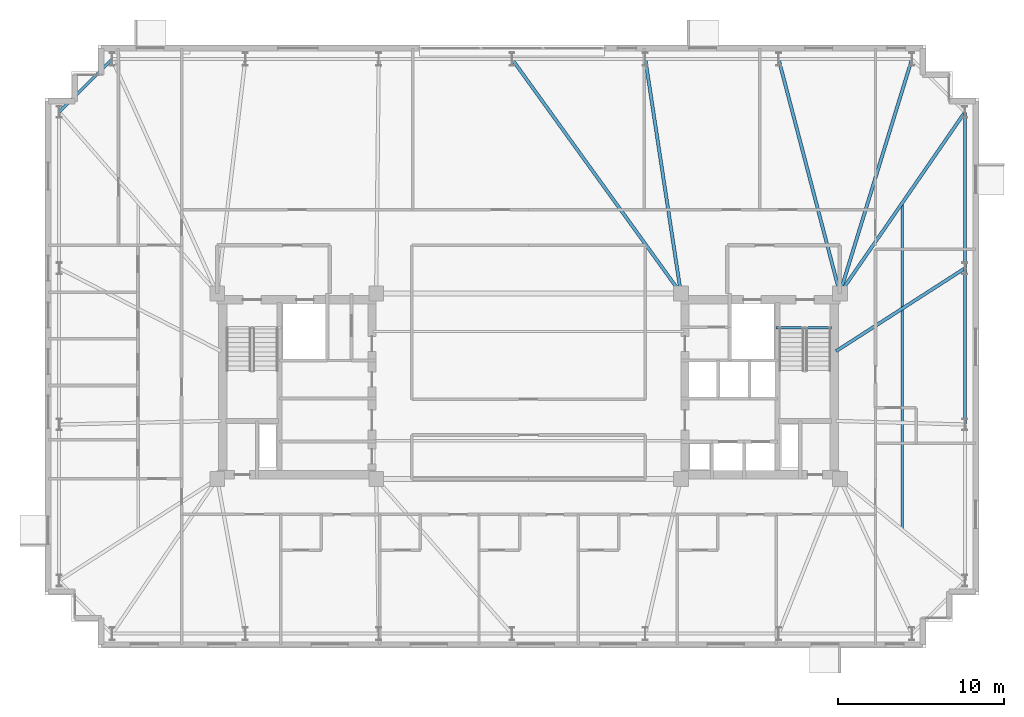
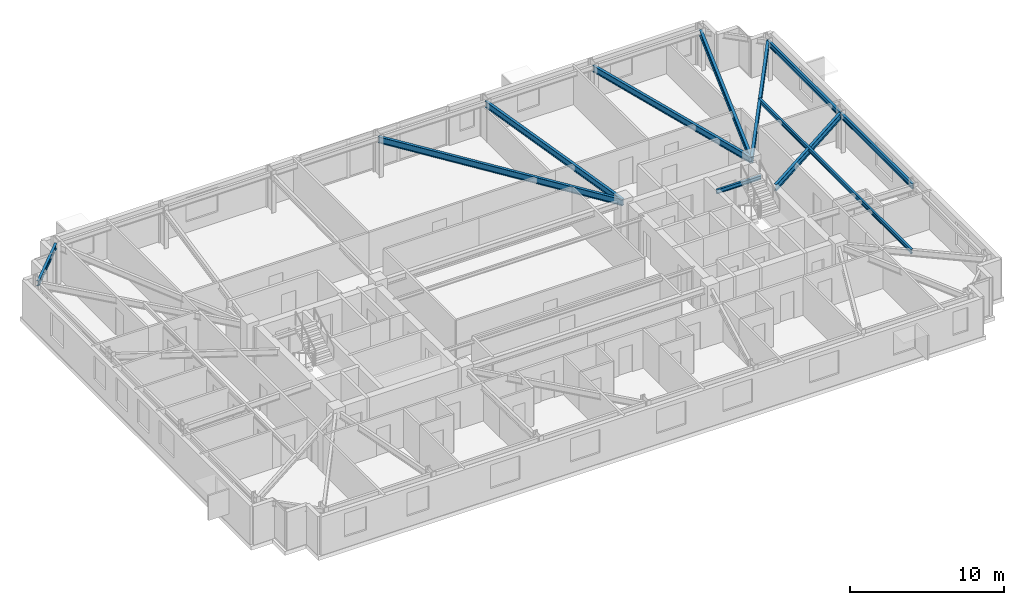
# One storey, part 6 of 18: 11 beams.
"""IFC4 building model written with IfcOpenShell, lengths in metres."""

from ifc_helpers import new_model, si_unit, direction, frame, origin, origin_2d, place, context, subcontext, project, spatial, i_section, extrude, material, material_profile, profile_set, type_object, element, save


model = new_model("IFC4")

# Units and contexts
model_context = context("Model", 3, precision=1e-05, world=origin(), true_north=direction((0.0, 1.0)))
body_context = subcontext(model_context, "Body", "Model", "MODEL_VIEW")
ifc_project = project(units=[si_unit("LENGTHUNIT", "METRE"), si_unit("AREAUNIT", "SQUARE_METRE"), si_unit("VOLUMEUNIT", "CUBIC_METRE"), si_unit("PLANEANGLEUNIT", "RADIAN"), si_unit("MASSUNIT", "GRAM", prefix="KILO")], contexts=[model_context])

# Site, building, storey
site_placement = place(None, origin())
site = spatial("IfcSite", under=ifc_project, at=site_placement, CompositionType="ELEMENT")
building_placement = place(site_placement, origin())
building = spatial("IfcBuilding", under=site, at=building_placement, Name="Qobustan Lattice House", CompositionType="ELEMENT")
storey_placement = place(building_placement, frame((0.0, 0.0, 151.10009765625)))
storey = spatial("IfcBuildingStorey", under=building, at=storey_placement, Name="L42", CompositionType="ELEMENT", Elevation=151.10009765625)

# Beams
ifc_material_1 = material(Name="Steel S355", Category="steel")
ifc_material_profile_1 = material_profile(ifc_material_1, i_section(OverallWidth=0.199951171875, OverallDepth=0.5, WebThickness=0.01025390625, FlangeThickness=0.01611328125, FilletRadius=0.02099609375, at=origin_2d()), Name="IPE500")
ifc_profile_set_1 = profile_set([ifc_material_profile_1], Name="Steel S355")
beam_type_1 = type_object("IfcBeamType", Name="BM-FLG-IPE500", PredefinedType="USERDEFINED", material=ifc_profile_set_1)
beam_1_placement = place(storey_placement, frame((-0.9853515625, 19.729736328125, 2.789794921875), z_axis=(0.584755393146, -0.811209670916, 0.0), x_axis=(0.811209670916, 0.584755393146, 0.0)))
element("IfcBeam", 1, at=beam_1_placement, inside=storey, type_object=beam_type_1, Name="L42 primary floor girder RAD-N4", ObjectType="GIRDER", PredefinedType="USERDEFINED", context=body_context, shape_type="SweptSolid", body=[
    extrude(i_section(OverallWidth=0.199951171875, OverallDepth=0.5, WebThickness=0.01025390625, FlangeThickness=0.01611328125, FilletRadius=0.02099609375, at=origin_2d()), origin(), (0.0, 0.0, 1.0), 17.39306640625),
])
beam_2_placement = place(storey_placement, frame((7.0537109375, 19.725341796875, 2.789794921875), z_axis=(0.150225226731, -0.988651799803, 0.0), x_axis=(0.988651799803, 0.150225226731, 0.0)))
element("IfcBeam", 2, at=beam_2_placement, inside=storey, type_object=beam_type_1, Name="L42 primary floor girder RAD-N3", ObjectType="GIRDER", PredefinedType="USERDEFINED", context=body_context, shape_type="SweptSolid", body=[
    extrude(i_section(OverallWidth=0.199951171875, OverallDepth=0.5, WebThickness=0.01025390625, FlangeThickness=0.01611328125, FilletRadius=0.02099609375, at=origin_2d()), origin(), (0.0, 0.0, 1.0), 14.262451171875),
])
beam_3_placement = place(storey_placement, frame((15.106201171875, 19.725830078125, 2.789794921875), z_axis=(0.252989153576, -0.967469114842, 0.0), x_axis=(0.967469114842, 0.252989153576, 0.0)))
element("IfcBeam", 3, at=beam_3_placement, inside=storey, type_object=beam_type_1, Name="L42 primary floor girder RAD-N2", ObjectType="GIRDER", PredefinedType="USERDEFINED", context=body_context, shape_type="SweptSolid", body=[
    extrude(i_section(OverallWidth=0.199951171875, OverallDepth=0.5, WebThickness=0.01025390625, FlangeThickness=0.01611328125, FilletRadius=0.02099609375, at=origin_2d()), origin(), (0.0, 0.0, 1.0), 14.57568359375),
])
beam_4_placement = place(storey_placement, frame((23.142578125, 19.72607421875, 2.789794921875), z_axis=(-0.293840483469, -0.955854471285, 0.0), x_axis=(0.955854471285, -0.293840483469, 0.0)))
element("IfcBeam", 4, at=beam_4_placement, inside=storey, type_object=beam_type_1, Name="L42 primary floor girder RAD-N1E", ObjectType="GIRDER", PredefinedType="USERDEFINED", context=body_context, shape_type="SweptSolid", body=[
    extrude(i_section(OverallWidth=0.199951171875, OverallDepth=0.5, WebThickness=0.01025390625, FlangeThickness=0.01611328125, FilletRadius=0.02099609375, at=origin_2d()), origin(), (0.0, 0.0, 1.0), 14.753662109375),
])
beam_5_placement = place(storey_placement, frame((26.335693359375, 16.529296875, 2.789794921875), z_axis=(-0.567643395011, -0.82327454479, 0.0), x_axis=(0.82327454479, -0.567643395011, 0.0)))
element("IfcBeam", 5, at=beam_5_placement, inside=storey, type_object=beam_type_1, Name="L42 primary floor girder RAD-E4", ObjectType="GIRDER", PredefinedType="USERDEFINED", context=body_context, shape_type="SweptSolid", body=[
    extrude(i_section(OverallWidth=0.199951171875, OverallDepth=0.5, WebThickness=0.01025390625, FlangeThickness=0.01611328125, FilletRadius=0.02099609375, at=origin_2d()), origin(), (0.0, 0.0, 1.0), 13.25048828125),
])
beam_6_placement = place(storey_placement, frame((26.3291015625, 7.103271484375, 2.789794921875), z_axis=(-0.841058920931, -0.540943519715, 0.0), x_axis=(0.540943519715, -0.841058920931, 0.0)))
element("IfcBeam", 6, at=beam_6_placement, inside=storey, type_object=beam_type_1, Name="L42 primary floor girder RAD-E3", ObjectType="GIRDER", PredefinedType="USERDEFINED", context=body_context, shape_type="SweptSolid", body=[
    extrude(i_section(OverallWidth=0.199951171875, OverallDepth=0.5, WebThickness=0.01025390625, FlangeThickness=0.01611328125, FilletRadius=0.02099609375, at=origin_2d()), origin(), (0.0, 0.0, 1.0), 9.22412109375),
])
ifc_material_2 = material(Name="Steel S355", Category="steel")
ifc_material_profile_2 = material_profile(ifc_material_2, i_section(OverallWidth=0.159912109375, OverallDepth=0.330078125, WebThickness=0.007568359375, FlangeThickness=0.011474609375, FilletRadius=0.01806640625, at=origin_2d()), Name="IPE330")
ifc_profile_set_2 = profile_set([ifc_material_profile_2], Name="Steel S355")
beam_type_2 = type_object("IfcBeamType", Name="BM-SEC-IPE330", PredefinedType="BEAM", material=ifc_profile_set_2)
beam_7_placement = place(storey_placement, frame((22.574951171875, 11.074951171875, 2.875), z_axis=(0.0, -1.0, 0.0), x_axis=(1.0, 0.0, 0.0)))
element("IfcBeam", 7, at=beam_7_placement, inside=storey, type_object=beam_type_2, Name="L42 east wing secondary beam", PredefinedType="BEAM", context=body_context, shape_type="SweptSolid", body=[
    extrude(i_section(OverallWidth=0.159912109375, OverallDepth=0.330078125, WebThickness=0.007568359375, FlangeThickness=0.011474609375, FilletRadius=0.01806640625, at=origin_2d()), origin(), (0.0, 0.0, 1.0), 19.75),
])
ifc_material_3 = material(Name="Steel S355", Category="steel")
ifc_material_profile_3 = material_profile(ifc_material_3, i_section(OverallWidth=0.159912109375, OverallDepth=0.330078125, WebThickness=0.007568359375, FlangeThickness=0.011474609375, FilletRadius=0.01806640625, at=origin_2d()), Name="IPE330")
ifc_profile_set_3 = profile_set([ifc_material_profile_3], Name="Steel S355")
beam_type_3 = type_object("IfcBeamType", Name="BM-SPD-IPE330", PredefinedType="SPANDREL", material=ifc_profile_set_3)
beam_8_placement = place(storey_placement, frame((14.949951171875, 3.52001953125, 2.875), z_axis=(1.0, 0.0, 0.0), x_axis=(0.0, 1.0, 0.0)))
element("IfcBeam", 8, at=beam_8_placement, inside=storey, type_object=beam_type_3, Name="L42 east stair landing trimmer beam", PredefinedType="SPANDREL", context=body_context, shape_type="SweptSolid", body=[
    extrude(i_section(OverallWidth=0.159912109375, OverallDepth=0.330078125, WebThickness=0.007568359375, FlangeThickness=0.011474609375, FilletRadius=0.01806640625, at=origin_2d()), origin(), (0.0, 0.0, 1.0), 3.35009765625),
])
ifc_material_4 = material(Name="Steel S355", Category="steel")
ifc_material_profile_4 = material_profile(ifc_material_4, i_section(OverallWidth=0.179931640625, OverallDepth=0.39990234375, WebThickness=0.008544921875, FlangeThickness=0.013427734375, FilletRadius=0.02099609375, at=origin_2d()), Name="IPE400")
ifc_profile_set_4 = profile_set([ifc_material_profile_4], Name="Steel S355")
beam_type_4 = type_object("IfcBeamType", Name="BM-SPD-IPE400", PredefinedType="SPANDREL", material=ifc_profile_set_4)
beam_9_placement = place(storey_placement, frame((26.35009765625, -2.291748046875, 2.83984375), z_axis=(0.0, 1.0, 0.0), x_axis=(-1.0, 0.0, 0.0)))
element("IfcBeam", 9, at=beam_9_placement, inside=storey, type_object=beam_type_4, Name="L42 perimeter spandrel E2-E3", PredefinedType="SPANDREL", context=body_context, shape_type="SweptSolid", body=[
    extrude(i_section(OverallWidth=0.179931640625, OverallDepth=0.39990234375, WebThickness=0.008544921875, FlangeThickness=0.013427734375, FilletRadius=0.02099609375, at=origin_2d()), origin(), (0.0, 0.0, 1.0), 9.383544921875),
])
beam_10_placement = place(storey_placement, frame((26.35009765625, 7.1416015625, 2.83984375), z_axis=(0.0, 1.0, 0.0), x_axis=(-1.0, 0.0, 0.0)))
element("IfcBeam", 10, at=beam_10_placement, inside=storey, type_object=beam_type_4, Name="L42 perimeter spandrel E3-E4", PredefinedType="SPANDREL", context=body_context, shape_type="SweptSolid", body=[
    extrude(i_section(OverallWidth=0.179931640625, OverallDepth=0.39990234375, WebThickness=0.008544921875, FlangeThickness=0.013427734375, FilletRadius=0.02099609375, at=origin_2d()), origin(), (0.0, 0.0, 1.0), 9.38330078125),
])
beam_11_placement = place(storey_placement, frame((-25.167724609375, 19.732421875, 2.83984375), z_axis=(-0.707079505568, -0.707134055753, 0.0), x_axis=(0.707134055753, -0.707079505568, 0.0)))
element("IfcBeam", 11, at=beam_11_placement, inside=storey, type_object=beam_type_4, Name="L42 perimeter spandrel N7-W1", PredefinedType="SPANDREL", context=body_context, shape_type="SweptSolid", body=[
    extrude(i_section(OverallWidth=0.179931640625, OverallDepth=0.39990234375, WebThickness=0.008544921875, FlangeThickness=0.013427734375, FilletRadius=0.02099609375, at=origin_2d()), origin(), (0.0, 0.0, 1.0), 4.4755859375),
])

save(model, "model.ifc")
